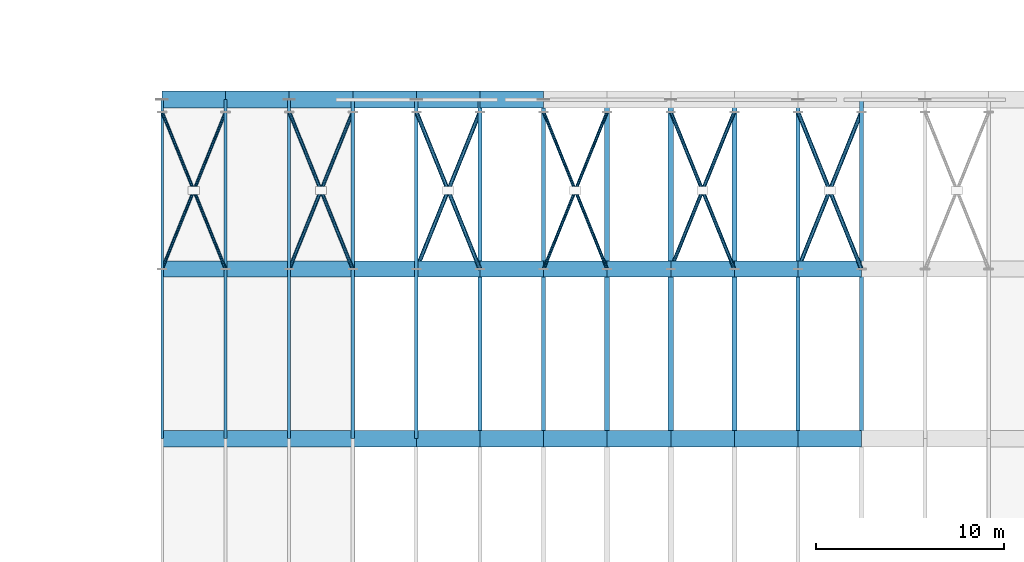
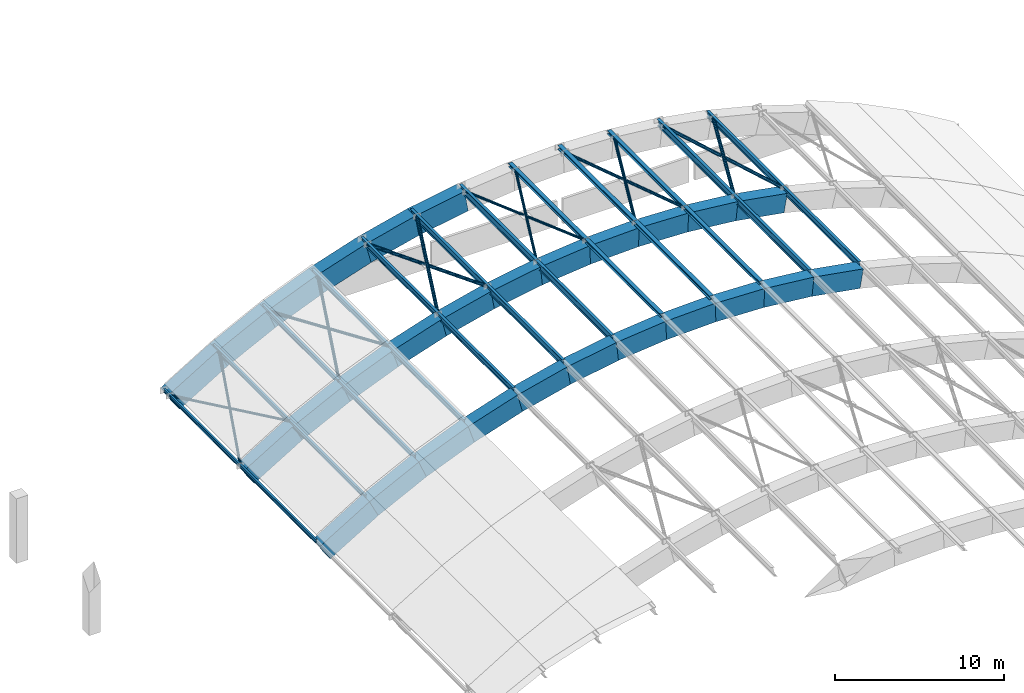
# One storey, part 8 of 30: 52 beams, 18 members.
"""IFC4 building model written with IfcOpenShell, lengths in metres."""

from ifc_helpers import new_model, si_unit, direction, frame, origin, origin_2d, place, context, subcontext, project, spatial, rectangle, hollow_circle, i_section, extrude, material, material_profile, profile_set, type_object, element, save


model = new_model("IFC4")

# Units and contexts
model_context = context("Model", 3, precision=1e-05, world=origin(), true_north=direction((0.0, 1.0)))
body_context = subcontext(model_context, "Body", "Model", "MODEL_VIEW")
ifc_project = project(units=[si_unit("LENGTHUNIT", "METRE"), si_unit("AREAUNIT", "SQUARE_METRE"), si_unit("VOLUMEUNIT", "CUBIC_METRE"), si_unit("PLANEANGLEUNIT", "RADIAN"), si_unit("MASSUNIT", "GRAM", prefix="KILO")], contexts=[model_context])

# Site, building, storey
site_placement = place(None, origin())
site = spatial("IfcSite", under=ifc_project, at=site_placement, CompositionType="ELEMENT")
building_placement = place(site_placement, origin())
building = spatial("IfcBuilding", under=site, at=building_placement, Name="Ornek Quay Market", CompositionType="ELEMENT")
storey_placement = place(building_placement, frame((0.0, 0.0, 12.0)))
storey = spatial("IfcBuildingStorey", under=building, at=storey_placement, Name="L03", CompositionType="ELEMENT", Elevation=12.0)

# Beams
ifc_material_1 = material(Name="Concrete C45/55", Category="concrete")
ifc_material_profile_1 = material_profile(ifc_material_1, rectangle(XDim=0.85009765625, YDim=1.35009765625, at=origin_2d()), Name="RC 850x1350", Category="concrete")
ifc_profile_set_1 = profile_set([ifc_material_profile_1], Name="Concrete C45/55")
beam_type_1 = type_object("IfcBeamType", Name="BM-ARCH-850x1350", PredefinedType="BEAM", material=ifc_profile_set_1)
beam_1_placement = place(storey_placement, frame((63.3486328125, 74.0, -3.577880859375), z_axis=(0.856326530364, 0.0, 0.516434771675), x_axis=(0.0, 1.0, 0.0)))
element("IfcBeam", 1, at=beam_1_placement, inside=storey, type_object=beam_type_1, Name="Arch rib chord J.1", PredefinedType="BEAM", context=body_context, shape_type="SweptSolid", body=[
    extrude(rectangle(XDim=0.85009765625, YDim=1.35009765625, at=origin_2d()), origin(), (0.0, 0.0, 1.0), 3.941162109375),
])
beam_2_placement = place(storey_placement, frame((66.677001953125, 74.0, -1.568115234375), z_axis=(0.894245991428, 0.0, 0.447575811248), x_axis=(0.0, 1.0, 0.0)))
element("IfcBeam", 2, at=beam_2_placement, inside=storey, type_object=beam_type_1, Name="Arch rib chord J.2", PredefinedType="BEAM", context=body_context, shape_type="SweptSolid", body=[
    extrude(rectangle(XDim=0.85009765625, YDim=1.35009765625, at=origin_2d()), origin(), (0.0, 0.0, 1.0), 3.774169921875),
])
beam_3_placement = place(storey_placement, frame((70.005615234375, 74.0, 0.10009765625), z_axis=(0.925506425872, 0.0, 0.378731904742), x_axis=(0.0, 1.0, 0.0)))
element("IfcBeam", 3, at=beam_3_placement, inside=storey, type_object=beam_type_1, Name="Arch rib chord J.3", PredefinedType="BEAM", context=body_context, shape_type="SweptSolid", body=[
    extrude(rectangle(XDim=0.85009765625, YDim=1.35009765625, at=origin_2d()), origin(), (0.0, 0.0, 1.0), 3.646728515625),
])
beam_4_placement = place(storey_placement, frame((73.333984375, 74.0, 1.464111328125), z_axis=(0.950807373928, 0.0, 0.309782726575), x_axis=(0.0, 1.0, 0.0)))
element("IfcBeam", 4, at=beam_4_placement, inside=storey, type_object=beam_type_1, Name="Arch rib chord J.4", PredefinedType="BEAM", context=body_context, shape_type="SweptSolid", body=[
    extrude(rectangle(XDim=0.85009765625, YDim=1.35009765625, at=origin_2d()), origin(), (0.0, 0.0, 1.0), 3.549560546875),
])
beam_5_placement = place(storey_placement, frame((76.66259765625, 74.0, 2.550537109375), z_axis=(0.970537665456, 0.0, 0.240949455139), x_axis=(0.0, 1.0, 0.0)))
element("IfcBeam", 5, at=beam_5_placement, inside=storey, type_object=beam_type_1, Name="Arch rib chord J.5", PredefinedType="BEAM", context=body_context, shape_type="SweptSolid", body=[
    extrude(rectangle(XDim=0.85009765625, YDim=1.35009765625, at=origin_2d()), origin(), (0.0, 0.0, 1.0), 3.4775390625),
])
beam_6_placement = place(storey_placement, frame((79.9912109375, 74.0, 3.378662109375), z_axis=(0.985069160971, 0.0, 0.172159077901), x_axis=(0.0, 1.0, 0.0)))
element("IfcBeam", 6, at=beam_6_placement, inside=storey, type_object=beam_type_1, Name="Arch rib chord J.6", PredefinedType="BEAM", context=body_context, shape_type="SweptSolid", body=[
    extrude(rectangle(XDim=0.85009765625, YDim=1.35009765625, at=origin_2d()), origin(), (0.0, 0.0, 1.0), 3.42626953125),
])
beam_7_placement = place(storey_placement, frame((83.319580078125, 74.0, 3.9619140625), z_axis=(0.994648025839, 0.0, 0.10332136611), x_axis=(0.0, 1.0, 0.0)))
element("IfcBeam", 7, at=beam_7_placement, inside=storey, type_object=beam_type_1, Name="Arch rib chord J.7", PredefinedType="BEAM", context=body_context, shape_type="SweptSolid", body=[
    extrude(rectangle(XDim=0.85009765625, YDim=1.35009765625, at=origin_2d()), origin(), (0.0, 0.0, 1.0), 3.39306640625),
])
for number, where, z_axis, x_axis, name in (
    (8, (86.648193359375, 74.0, 4.30908203125), (0.999407715337, 0.0, 0.034412476309), (0.0, 1.0, 0.0), "Arch rib chord J.8"),
    (9, (89.976806640625, 74.0, 4.42529296875), (0.999407715337, 0.0, -0.034412476309), (0.0, 1.0, 0.0), "Arch rib chord J.9"),
):
    element("IfcBeam", number, at=place(storey_placement, frame(where, z_axis=z_axis, x_axis=x_axis)), inside=storey, type_object=beam_type_1, Name=name, PredefinedType="BEAM", context=body_context, shape_type="SweptSolid", body=[
        extrude(rectangle(XDim=0.85009765625, YDim=1.35009765625, at=origin_2d()), origin(), (0.0, 0.0, 1.0), 3.376953125),
    ])
beam_8_placement = place(storey_placement, frame((93.305419921875, 74.0, 4.3125), z_axis=(0.994648025839, 0.0, -0.10332136611), x_axis=(0.0, 1.0, 0.0)))
element("IfcBeam", 10, at=beam_8_placement, inside=storey, type_object=beam_type_1, Name="Arch rib chord J.10", PredefinedType="BEAM", context=body_context, shape_type="SweptSolid", body=[
    extrude(rectangle(XDim=0.85009765625, YDim=1.35009765625, at=origin_2d()), origin(), (0.0, 0.0, 1.0), 3.39306640625),
])
beam_9_placement = place(storey_placement, frame((96.6337890625, 74.0, 3.968505859375), z_axis=(0.985069160971, 0.0, -0.172159077901), x_axis=(0.0, 1.0, 0.0)))
element("IfcBeam", 11, at=beam_9_placement, inside=storey, type_object=beam_type_1, Name="Arch rib chord J.11", PredefinedType="BEAM", context=body_context, shape_type="SweptSolid", body=[
    extrude(rectangle(XDim=0.85009765625, YDim=1.35009765625, at=origin_2d()), origin(), (0.0, 0.0, 1.0), 3.42626953125),
])
beam_10_placement = place(storey_placement, frame((63.3486328125, 83.0, -3.577880859375), z_axis=(0.856326530364, 0.0, 0.516434771675), x_axis=(0.0, 1.0, 0.0)))
element("IfcBeam", 12, at=beam_10_placement, inside=storey, type_object=beam_type_1, Name="Arch rib chord K.1", PredefinedType="BEAM", context=body_context, shape_type="SweptSolid", body=[
    extrude(rectangle(XDim=0.85009765625, YDim=1.35009765625, at=origin_2d()), origin(), (0.0, 0.0, 1.0), 3.941162109375),
])
beam_11_placement = place(storey_placement, frame((66.677001953125, 83.0, -1.568115234375), z_axis=(0.894245991428, 0.0, 0.447575811248), x_axis=(0.0, 1.0, 0.0)))
element("IfcBeam", 13, at=beam_11_placement, inside=storey, type_object=beam_type_1, Name="Arch rib chord K.2", PredefinedType="BEAM", context=body_context, shape_type="SweptSolid", body=[
    extrude(rectangle(XDim=0.85009765625, YDim=1.35009765625, at=origin_2d()), origin(), (0.0, 0.0, 1.0), 3.774169921875),
])
beam_12_placement = place(storey_placement, frame((70.005615234375, 83.0, 0.10009765625), z_axis=(0.925506425872, 0.0, 0.378731904742), x_axis=(0.0, 1.0, 0.0)))
element("IfcBeam", 14, at=beam_12_placement, inside=storey, type_object=beam_type_1, Name="Arch rib chord K.3", PredefinedType="BEAM", context=body_context, shape_type="SweptSolid", body=[
    extrude(rectangle(XDim=0.85009765625, YDim=1.35009765625, at=origin_2d()), origin(), (0.0, 0.0, 1.0), 3.646728515625),
])
beam_13_placement = place(storey_placement, frame((73.333984375, 83.0, 1.464111328125), z_axis=(0.950807373928, 0.0, 0.309782726575), x_axis=(0.0, 1.0, 0.0)))
element("IfcBeam", 15, at=beam_13_placement, inside=storey, type_object=beam_type_1, Name="Arch rib chord K.4", PredefinedType="BEAM", context=body_context, shape_type="SweptSolid", body=[
    extrude(rectangle(XDim=0.85009765625, YDim=1.35009765625, at=origin_2d()), origin(), (0.0, 0.0, 1.0), 3.549560546875),
])
beam_14_placement = place(storey_placement, frame((76.66259765625, 83.0, 2.550537109375), z_axis=(0.970537665456, 0.0, 0.240949455139), x_axis=(0.0, 1.0, 0.0)))
element("IfcBeam", 16, at=beam_14_placement, inside=storey, type_object=beam_type_1, Name="Arch rib chord K.5", PredefinedType="BEAM", context=body_context, shape_type="SweptSolid", body=[
    extrude(rectangle(XDim=0.85009765625, YDim=1.35009765625, at=origin_2d()), origin(), (0.0, 0.0, 1.0), 3.4775390625),
])
beam_15_placement = place(storey_placement, frame((79.9912109375, 83.0, 3.378662109375), z_axis=(0.985069160971, 0.0, 0.172159077901), x_axis=(0.0, 1.0, 0.0)))
element("IfcBeam", 17, at=beam_15_placement, inside=storey, type_object=beam_type_1, Name="Arch rib chord K.6", PredefinedType="BEAM", context=body_context, shape_type="SweptSolid", body=[
    extrude(rectangle(XDim=0.85009765625, YDim=1.35009765625, at=origin_2d()), origin(), (0.0, 0.0, 1.0), 3.42626953125),
])
beam_16_placement = place(storey_placement, frame((83.319580078125, 83.0, 3.9619140625), z_axis=(0.994648025839, 0.0, 0.10332136611), x_axis=(0.0, 1.0, 0.0)))
element("IfcBeam", 18, at=beam_16_placement, inside=storey, type_object=beam_type_1, Name="Arch rib chord K.7", PredefinedType="BEAM", context=body_context, shape_type="SweptSolid", body=[
    extrude(rectangle(XDim=0.85009765625, YDim=1.35009765625, at=origin_2d()), origin(), (0.0, 0.0, 1.0), 3.39306640625),
])
for number, where, z_axis, x_axis, name in (
    (19, (86.648193359375, 83.0, 4.30908203125), (0.999407715337, 0.0, 0.034412476309), (0.0, 1.0, 0.0), "Arch rib chord K.8"),
    (20, (89.976806640625, 83.0, 4.42529296875), (0.999407715337, 0.0, -0.034412476309), (0.0, 1.0, 0.0), "Arch rib chord K.9"),
):
    element("IfcBeam", number, at=place(storey_placement, frame(where, z_axis=z_axis, x_axis=x_axis)), inside=storey, type_object=beam_type_1, Name=name, PredefinedType="BEAM", context=body_context, shape_type="SweptSolid", body=[
        extrude(rectangle(XDim=0.85009765625, YDim=1.35009765625, at=origin_2d()), origin(), (0.0, 0.0, 1.0), 3.376953125),
    ])
beam_17_placement = place(storey_placement, frame((93.305419921875, 83.0, 4.3125), z_axis=(0.994648025839, 0.0, -0.10332136611), x_axis=(0.0, 1.0, 0.0)))
element("IfcBeam", 21, at=beam_17_placement, inside=storey, type_object=beam_type_1, Name="Arch rib chord K.10", PredefinedType="BEAM", context=body_context, shape_type="SweptSolid", body=[
    extrude(rectangle(XDim=0.85009765625, YDim=1.35009765625, at=origin_2d()), origin(), (0.0, 0.0, 1.0), 3.39306640625),
])
beam_18_placement = place(storey_placement, frame((96.6337890625, 83.0, 3.968505859375), z_axis=(0.985069160971, 0.0, -0.172159077901), x_axis=(0.0, 1.0, 0.0)))
element("IfcBeam", 22, at=beam_18_placement, inside=storey, type_object=beam_type_1, Name="Arch rib chord K.11", PredefinedType="BEAM", context=body_context, shape_type="SweptSolid", body=[
    extrude(rectangle(XDim=0.85009765625, YDim=1.35009765625, at=origin_2d()), origin(), (0.0, 0.0, 1.0), 3.42626953125),
])
ifc_material_profile_2 = material_profile(ifc_material_1, rectangle(XDim=0.89990234375, YDim=1.5, at=origin_2d()), Name="RC 900x1500", Category="concrete")
ifc_profile_set_2 = profile_set([ifc_material_profile_2], Name="Concrete C45/55")
beam_type_2 = type_object("IfcBeamType", Name="BM-ARCH-900x1500", PredefinedType="BEAM", material=ifc_profile_set_2)
beam_19_placement = place(storey_placement, frame((63.387451171875, 92.0, -3.64208984375), z_axis=(0.856326530364, 0.0, 0.516434771675), x_axis=(0.0, 1.0, 0.0)))
element("IfcBeam", 23, at=beam_19_placement, inside=storey, type_object=beam_type_2, Name="Arch rib chord L.1", PredefinedType="BEAM", context=body_context, shape_type="SweptSolid", body=[
    extrude(rectangle(XDim=0.89990234375, YDim=1.5, at=origin_2d()), origin(), (0.0, 0.0, 1.0), 3.941162109375),
])
beam_20_placement = place(storey_placement, frame((66.710693359375, 92.0, -1.635009765625), z_axis=(0.894245991428, 0.0, 0.447575811248), x_axis=(0.0, 1.0, 0.0)))
element("IfcBeam", 24, at=beam_20_placement, inside=storey, type_object=beam_type_2, Name="Arch rib chord L.2", PredefinedType="BEAM", context=body_context, shape_type="SweptSolid", body=[
    extrude(rectangle(XDim=0.89990234375, YDim=1.5, at=origin_2d()), origin(), (0.0, 0.0, 1.0), 3.774169921875),
])
beam_21_placement = place(storey_placement, frame((70.033935546875, 92.0, 0.03076171875), z_axis=(0.925529891662, 0.0, 0.378674556368), x_axis=(0.0, 1.0, 0.0)))
element("IfcBeam", 25, at=beam_21_placement, inside=storey, type_object=beam_type_2, Name="Arch rib chord L.3", PredefinedType="BEAM", context=body_context, shape_type="SweptSolid", body=[
    extrude(rectangle(XDim=0.89990234375, YDim=1.5, at=origin_2d()), origin(), (0.0, 0.0, 1.0), 3.646484375),
])
beam_22_placement = place(storey_placement, frame((73.357421875, 92.0, 1.392578125), z_axis=(0.950787113767, 0.0, 0.309844903611), x_axis=(0.0, 1.0, 0.0)))
element("IfcBeam", 26, at=beam_22_placement, inside=storey, type_object=beam_type_2, Name="Arch rib chord L.4", PredefinedType="BEAM", context=body_context, shape_type="SweptSolid", body=[
    extrude(rectangle(XDim=0.89990234375, YDim=1.5, at=origin_2d()), origin(), (0.0, 0.0, 1.0), 3.5498046875),
])
beam_23_placement = place(storey_placement, frame((76.6806640625, 92.0, 2.477783203125), z_axis=(0.970537665456, 0.0, 0.240949455139), x_axis=(0.0, 1.0, 0.0)))
element("IfcBeam", 27, at=beam_23_placement, inside=storey, type_object=beam_type_2, Name="Arch rib chord L.5", PredefinedType="BEAM", context=body_context, shape_type="SweptSolid", body=[
    extrude(rectangle(XDim=0.89990234375, YDim=1.5, at=origin_2d()), origin(), (0.0, 0.0, 1.0), 3.4775390625),
])
beam_24_placement = place(storey_placement, frame((80.004150390625, 92.0, 3.3046875), z_axis=(0.985069160971, 0.0, 0.172159077901), x_axis=(0.0, 1.0, 0.0)))
element("IfcBeam", 28, at=beam_24_placement, inside=storey, type_object=beam_type_2, Name="Arch rib chord L.6", PredefinedType="BEAM", context=body_context, shape_type="SweptSolid", body=[
    extrude(rectangle(XDim=0.89990234375, YDim=1.5, at=origin_2d()), origin(), (0.0, 0.0, 1.0), 3.42626953125),
])
ifc_material_2 = material(Name="Steel S355", Category="steel")
ifc_material_profile_3 = material_profile(ifc_material_2, i_section(OverallWidth=0.260009765625, OverallDepth=0.25, WebThickness=0.007568359375, FlangeThickness=0.012451171875, FilletRadius=0.02392578125, at=origin_2d()), Name="HEA 260", Category="steel")
ifc_profile_set_3 = profile_set([ifc_material_profile_3], Name="Steel S355")
beam_type_3 = type_object("IfcBeamType", Name="BM-STL-HEA260", PredefinedType="BEAM", material=ifc_profile_set_3)
for number, where, z_axis, x_axis, name in (
    (29, (86.625, 74.0, 5.149169921875), (0.0, 1.0, 0.0), (-1.0, 0.0, 0.0), "Vault steel purlin VP-093"),
    (30, (93.375, 74.0, 5.149169921875), (0.0, 1.0, 0.0), (-1.0, 0.0, 0.0), "Vault steel purlin VP-095"),
    (31, (86.625, 83.0, 5.149169921875), (0.0, 1.0, 0.0), (-1.0, 0.0, 0.0), "Vault steel purlin VP-110"),
    (32, (93.375, 83.0, 5.149169921875), (0.0, 1.0, 0.0), (-1.0, 0.0, 0.0), "Vault steel purlin VP-112"),
):
    element("IfcBeam", number, at=place(storey_placement, frame(where, z_axis=z_axis, x_axis=x_axis)), inside=storey, type_object=beam_type_3, Name=name, PredefinedType="BEAM", context=body_context, shape_type="SweptSolid", body=[
        extrude(i_section(OverallWidth=0.260009765625, OverallDepth=0.25, WebThickness=0.007568359375, FlangeThickness=0.012451171875, FilletRadius=0.02392578125, at=origin_2d()), origin(), (0.0, 0.0, 1.0), 9.0),
    ])
ifc_material_profile_4 = material_profile(ifc_material_2, i_section(OverallWidth=0.280029296875, OverallDepth=0.27001953125, WebThickness=0.008056640625, FlangeThickness=0.012939453125, FilletRadius=0.02392578125, at=origin_2d()), Name="HEA 280", Category="steel")
ifc_profile_set_4 = profile_set([ifc_material_profile_4], Name="Steel S355")
beam_type_4 = type_object("IfcBeamType", Name="BM-STL-HEA280", PredefinedType="BEAM", material=ifc_profile_set_4)
for number, where, z_axis, x_axis, name in (
    (33, (90.0, 74.0, 5.2568359375), (0.0, 1.0, 0.0), (-1.0, 0.0, 0.0), "Vault steel purlin VP-094"),
    (34, (90.0, 83.0, 5.2568359375), (0.0, 1.0, 0.0), (-1.0, 0.0, 0.0), "Vault steel purlin VP-111"),
):
    element("IfcBeam", number, at=place(storey_placement, frame(where, z_axis=z_axis, x_axis=x_axis)), inside=storey, type_object=beam_type_4, Name=name, PredefinedType="BEAM", context=body_context, shape_type="SweptSolid", body=[
        extrude(i_section(OverallWidth=0.280029296875, OverallDepth=0.27001953125, WebThickness=0.008056640625, FlangeThickness=0.012939453125, FilletRadius=0.02392578125, at=origin_2d()), origin(), (0.0, 0.0, 1.0), 9.0),
    ])
ifc_material_profile_5 = material_profile(ifc_material_2, i_section(OverallWidth=0.135009765625, OverallDepth=0.27001953125, WebThickness=0.006591796875, FlangeThickness=0.01025390625, FilletRadius=0.014892578125, at=origin_2d()), Name="IPE 270", Category="steel")
ifc_profile_set_5 = profile_set([ifc_material_profile_5], Name="Steel S355")
beam_type_5 = type_object("IfcBeamType", Name="BM-STL-IPE270", PredefinedType="JOIST", material=ifc_profile_set_5)
for number, where, z_axis, x_axis, name in (
    (35, (63.0, 74.0, -2.8916015625), (0.0, 1.0, 0.0), (-1.0, 0.0, 0.0), "Vault steel purlin VP-086"),
    (36, (63.0, 83.0, -2.8916015625), (0.0, 1.0, 0.0), (-1.0, 0.0, 0.0), "Vault steel purlin VP-103"),
):
    element("IfcBeam", number, at=place(storey_placement, frame(where, z_axis=z_axis, x_axis=x_axis)), inside=storey, type_object=beam_type_5, Name=name, PredefinedType="JOIST", context=body_context, shape_type="SweptSolid", body=[
        extrude(i_section(OverallWidth=0.135009765625, OverallDepth=0.27001953125, WebThickness=0.006591796875, FlangeThickness=0.01025390625, FilletRadius=0.014892578125, at=origin_2d()), origin(), (0.0, 0.0, 1.0), 9.0),
    ])
ifc_material_profile_6 = material_profile(ifc_material_2, i_section(OverallWidth=0.14990234375, OverallDepth=0.300048828125, WebThickness=0.007080078125, FlangeThickness=0.0107421875, FilletRadius=0.014892578125, at=origin_2d()), Name="IPE 300", Category="steel")
ifc_profile_set_6 = profile_set([ifc_material_profile_6], Name="Steel S355")
beam_type_6 = type_object("IfcBeamType", Name="BM-STL-IPE300", PredefinedType="JOIST", material=ifc_profile_set_6)
for number, where, z_axis, x_axis, name in (
    (37, (66.375, 74.0, -0.87109375), (0.0, 1.0, 0.0), (-1.0, 0.0, 0.0), "Vault steel purlin VP-087"),
    (38, (66.375, 83.0, -0.87109375), (0.0, 1.0, 0.0), (-1.0, 0.0, 0.0), "Vault steel purlin VP-104"),
):
    element("IfcBeam", number, at=place(storey_placement, frame(where, z_axis=z_axis, x_axis=x_axis)), inside=storey, type_object=beam_type_6, Name=name, PredefinedType="JOIST", context=body_context, shape_type="SweptSolid", body=[
        extrude(i_section(OverallWidth=0.14990234375, OverallDepth=0.300048828125, WebThickness=0.007080078125, FlangeThickness=0.0107421875, FilletRadius=0.014892578125, at=origin_2d()), origin(), (0.0, 0.0, 1.0), 9.0),
    ])
ifc_material_profile_7 = material_profile(ifc_material_2, i_section(OverallWidth=0.159912109375, OverallDepth=0.330078125, WebThickness=0.007568359375, FlangeThickness=0.011474609375, FilletRadius=0.01806640625, at=origin_2d()), Name="IPE 330", Category="steel")
ifc_profile_set_7 = profile_set([ifc_material_profile_7], Name="Steel S355")
beam_type_7 = type_object("IfcBeamType", Name="BM-STL-IPE330", PredefinedType="JOIST", material=ifc_profile_set_7)
for number, where, z_axis, x_axis, name in (
    (39, (69.75, 74.0, 0.8173828125), (0.0, 1.0, 0.0), (-1.0, 0.0, 0.0), "Vault steel purlin VP-088"),
    (40, (69.75, 83.0, 0.8173828125), (0.0, 1.0, 0.0), (-1.0, 0.0, 0.0), "Vault steel purlin VP-105"),
):
    element("IfcBeam", number, at=place(storey_placement, frame(where, z_axis=z_axis, x_axis=x_axis)), inside=storey, type_object=beam_type_7, Name=name, PredefinedType="JOIST", context=body_context, shape_type="SweptSolid", body=[
        extrude(i_section(OverallWidth=0.159912109375, OverallDepth=0.330078125, WebThickness=0.007568359375, FlangeThickness=0.011474609375, FilletRadius=0.01806640625, at=origin_2d()), origin(), (0.0, 0.0, 1.0), 9.0),
    ])
ifc_material_profile_8 = material_profile(ifc_material_2, i_section(OverallWidth=0.169921875, OverallDepth=0.360107421875, WebThickness=0.008056640625, FlangeThickness=0.0126953125, FilletRadius=0.01806640625, at=origin_2d()), Name="IPE 360", Category="steel")
ifc_profile_set_8 = profile_set([ifc_material_profile_8], Name="Steel S355")
beam_type_8 = type_object("IfcBeamType", Name="BM-STL-IPE360", PredefinedType="BEAM", material=ifc_profile_set_8)
for number, where, z_axis, x_axis, name in (
    (41, (73.125, 74.0, 2.194580078125), (0.0, 1.0, 0.0), (-1.0, 0.0, 0.0), "Vault steel purlin VP-089"),
    (42, (73.125, 83.0, 2.194580078125), (0.0, 1.0, 0.0), (-1.0, 0.0, 0.0), "Vault steel purlin VP-106"),
):
    element("IfcBeam", number, at=place(storey_placement, frame(where, z_axis=z_axis, x_axis=x_axis)), inside=storey, type_object=beam_type_8, Name=name, PredefinedType="BEAM", context=body_context, shape_type="SweptSolid", body=[
        extrude(i_section(OverallWidth=0.169921875, OverallDepth=0.360107421875, WebThickness=0.008056640625, FlangeThickness=0.0126953125, FilletRadius=0.01806640625, at=origin_2d()), origin(), (0.0, 0.0, 1.0), 9.0),
    ])
ifc_material_profile_9 = material_profile(ifc_material_2, i_section(OverallWidth=0.179931640625, OverallDepth=0.39990234375, WebThickness=0.008544921875, FlangeThickness=0.013427734375, FilletRadius=0.02099609375, at=origin_2d()), Name="IPE 400", Category="steel")
ifc_profile_set_9 = profile_set([ifc_material_profile_9], Name="Steel S355")
beam_type_9 = type_object("IfcBeamType", Name="BM-STL-IPE400", PredefinedType="BEAM", material=ifc_profile_set_9)
for number, where, z_axis, x_axis, name in (
    (43, (76.5, 74.0, 3.28271484375), (0.0, 1.0, 0.0), (-1.0, 0.0, 0.0), "Vault steel purlin VP-090"),
    (44, (76.5, 83.0, 3.28271484375), (0.0, 1.0, 0.0), (-1.0, 0.0, 0.0), "Vault steel purlin VP-107"),
):
    element("IfcBeam", number, at=place(storey_placement, frame(where, z_axis=z_axis, x_axis=x_axis)), inside=storey, type_object=beam_type_9, Name=name, PredefinedType="BEAM", context=body_context, shape_type="SweptSolid", body=[
        extrude(i_section(OverallWidth=0.179931640625, OverallDepth=0.39990234375, WebThickness=0.008544921875, FlangeThickness=0.013427734375, FilletRadius=0.02099609375, at=origin_2d()), origin(), (0.0, 0.0, 1.0), 9.0),
    ])
ifc_material_profile_10 = material_profile(ifc_material_2, i_section(OverallWidth=0.18994140625, OverallDepth=0.449951171875, WebThickness=0.009521484375, FlangeThickness=0.0146484375, FilletRadius=0.02099609375, at=origin_2d()), Name="IPE 450", Category="steel")
ifc_profile_set_10 = profile_set([ifc_material_profile_10], Name="Steel S355")
beam_type_10 = type_object("IfcBeamType", Name="BM-STL-IPE450", PredefinedType="BEAM", material=ifc_profile_set_10)
for number, where, z_axis, x_axis, name in (
    (45, (79.875, 74.0, 4.101806640625), (0.0, 1.0, 0.0), (-1.0, 0.0, 0.0), "Vault steel purlin VP-091"),
    (46, (100.125, 74.0, 4.101806640625), (0.0, 1.0, 0.0), (-1.0, 0.0, 0.0), "Vault steel purlin VP-097"),
    (47, (79.875, 83.0, 4.101806640625), (0.0, 1.0, 0.0), (-1.0, 0.0, 0.0), "Vault steel purlin VP-108"),
    (48, (100.125, 83.0, 4.101806640625), (0.0, 1.0, 0.0), (-1.0, 0.0, 0.0), "Vault steel purlin VP-114"),
):
    element("IfcBeam", number, at=place(storey_placement, frame(where, z_axis=z_axis, x_axis=x_axis)), inside=storey, type_object=beam_type_10, Name=name, PredefinedType="BEAM", context=body_context, shape_type="SweptSolid", body=[
        extrude(i_section(OverallWidth=0.18994140625, OverallDepth=0.449951171875, WebThickness=0.009521484375, FlangeThickness=0.0146484375, FilletRadius=0.02099609375, at=origin_2d()), origin(), (0.0, 0.0, 1.0), 9.0),
    ])
ifc_material_profile_11 = material_profile(ifc_material_2, i_section(OverallWidth=0.199951171875, OverallDepth=0.5, WebThickness=0.01025390625, FlangeThickness=0.01611328125, FilletRadius=0.02099609375, at=origin_2d()), Name="IPE 500", Category="steel")
ifc_profile_set_11 = profile_set([ifc_material_profile_11], Name="Steel S355")
beam_type_11 = type_object("IfcBeamType", Name="BM-STL-IPE500", PredefinedType="BEAM", material=ifc_profile_set_11)
for number, where, z_axis, x_axis, name in (
    (49, (83.25, 74.0, 4.6708984375), (0.0, 1.0, 0.0), (-1.0, 0.0, 0.0), "Vault steel purlin VP-092"),
    (50, (96.75, 74.0, 4.6708984375), (0.0, 1.0, 0.0), (-1.0, 0.0, 0.0), "Vault steel purlin VP-096"),
    (51, (83.25, 83.0, 4.6708984375), (0.0, 1.0, 0.0), (-1.0, 0.0, 0.0), "Vault steel purlin VP-109"),
    (52, (96.75, 83.0, 4.6708984375), (0.0, 1.0, 0.0), (-1.0, 0.0, 0.0), "Vault steel purlin VP-113"),
):
    element("IfcBeam", number, at=place(storey_placement, frame(where, z_axis=z_axis, x_axis=x_axis)), inside=storey, type_object=beam_type_11, Name=name, PredefinedType="BEAM", context=body_context, shape_type="SweptSolid", body=[
        extrude(i_section(OverallWidth=0.199951171875, OverallDepth=0.5, WebThickness=0.01025390625, FlangeThickness=0.01611328125, FilletRadius=0.02099609375, at=origin_2d()), origin(), (0.0, 0.0, 1.0), 9.0),
    ])

# Members
ifc_material_profile_12 = material_profile(ifc_material_2, hollow_circle(Radius=0.084228515625, WallThickness=0.008056640625, at=origin_2d()), Name="CHS 168.3x8", Category="steel")
ifc_profile_set_12 = profile_set([ifc_material_profile_12], Name="Steel S355")
member_type_1 = type_object("IfcMemberType", Name="MBR-BRC-CHS168", PredefinedType="BRACE", material=ifc_profile_set_12)
member_1_placement = place(storey_placement, frame((63.0, 83.0, -2.8798828125), z_axis=(0.365516678498, 0.904325914207, 0.22043638228), x_axis=(-0.927132108754, 0.374734643337, 0.0)))
element("IfcMember", 53, at=member_1_placement, inside=storey, type_object=member_type_1, Name="Vault wind brace VB-049", PredefinedType="BRACE", context=body_context, shape_type="SweptSolid", body=[
    extrude(hollow_circle(Radius=0.084228515625, WallThickness=0.008056640625, at=origin_2d()), origin(), (0.0, 0.0, 1.0), 9.2333984375),
])
member_2_placement = place(storey_placement, frame((66.375, 83.0, -0.844482421875), z_axis=(-0.365505907422, 0.904329895086, -0.220437910743), x_axis=(-0.927136518362, -0.374723733329, 0.0)))
element("IfcMember", 54, at=member_2_placement, inside=storey, type_object=member_type_1, Name="Vault split wind brace VB-050", PredefinedType="BRACE", context=body_context, shape_type="SweptSolid", body=[
    extrude(hollow_circle(Radius=0.084228515625, WallThickness=0.008056640625, at=origin_2d()), origin(), (0.0, 0.0, 1.0), 4.4765625),
])
member_3_placement = place(storey_placement, frame((64.63623046875, 87.301513671875, -1.89306640625), z_axis=(-0.365487881718, 0.904339830279, -0.220427039377), x_axis=(-0.927144368827, -0.374704309225, 0.0)))
element("IfcMember", 55, at=member_3_placement, inside=storey, type_object=member_type_1, Name="Vault split wind brace VB-051", PredefinedType="BRACE", context=body_context, shape_type="SweptSolid", body=[
    extrude(hollow_circle(Radius=0.084228515625, WallThickness=0.008056640625, at=origin_2d()), origin(), (0.0, 0.0, 1.0), 4.476806640625),
])
member_4_placement = place(storey_placement, frame((83.25, 83.0, 4.75341796875), z_axis=(0.374451448479, 0.926431455503, 0.038869923941), x_axis=(-0.927132108754, 0.374734643337, 0.0)))
element("IfcMember", 56, at=member_4_placement, inside=storey, type_object=member_type_1, Name="Vault wind brace VB-058", PredefinedType="BRACE", context=body_context, shape_type="SweptSolid", body=[
    extrude(hollow_circle(Radius=0.084228515625, WallThickness=0.008056640625, at=origin_2d()), origin(), (0.0, 0.0, 1.0), 9.01318359375),
])
for number, where, z_axis, x_axis, name in (
    (57, (86.625, 83.0, 5.103759765625), (-0.37443351688, 0.926439207809, -0.038857890732), (-0.927139432683, -0.374716522672, 0.0), "Vault split wind brace VB-059"),
    (58, (84.885009765625, 87.3046875, 4.923095703125), (-0.37443351688, 0.926439207809, -0.038857890732), (-0.927139432683, -0.374716522672, 0.0), "Vault split wind brace VB-060"),
):
    element("IfcMember", number, at=place(storey_placement, frame(where, z_axis=z_axis, x_axis=x_axis)), inside=storey, type_object=member_type_1, Name=name, PredefinedType="BRACE", context=body_context, shape_type="SweptSolid", body=[
        extrude(hollow_circle(Radius=0.084228515625, WallThickness=0.008056640625, at=origin_2d()), origin(), (0.0, 0.0, 1.0), 4.36669921875),
    ])
ifc_material_profile_13 = material_profile(ifc_material_2, hollow_circle(Radius=0.096923828125, WallThickness=0.010009765625, at=origin_2d()), Name="CHS 193.7x10", Category="steel")
ifc_profile_set_13 = profile_set([ifc_material_profile_13], Name="Steel S355")
member_type_2 = type_object("IfcMemberType", Name="MBR-BRC-CHS193", PredefinedType="BRACE", material=ifc_profile_set_13)
member_5_placement = place(storey_placement, frame((69.75, 83.0, 0.8447265625), z_axis=(0.370404838484, 0.916419725538, 0.151575533225), x_axis=(-0.927132108754, 0.374734643337, 0.0)))
element("IfcMember", 59, at=member_5_placement, inside=storey, type_object=member_type_2, Name="Vault wind brace VB-052", PredefinedType="BRACE", context=body_context, shape_type="SweptSolid", body=[
    extrude(hollow_circle(Radius=0.096923828125, WallThickness=0.010009765625, at=origin_2d()), origin(), (0.0, 0.0, 1.0), 9.111572265625),
])
member_6_placement = place(storey_placement, frame((73.125, 83.0, 2.225830078125), z_axis=(-0.370384313827, 0.916423347018, -0.151603789896), x_axis=(-0.927139837292, -0.37471552157, 0.0)))
element("IfcMember", 60, at=member_6_placement, inside=storey, type_object=member_type_2, Name="Vault split wind brace VB-053", PredefinedType="BRACE", context=body_context, shape_type="SweptSolid", body=[
    extrude(hollow_circle(Radius=0.096923828125, WallThickness=0.010009765625, at=origin_2d()), origin(), (0.0, 0.0, 1.0), 4.415771484375),
])
member_7_placement = place(storey_placement, frame((71.385498046875, 87.30322265625, 1.51416015625), z_axis=(-0.370365547839, 0.916432201967, -0.151596108699), x_axis=(-0.927147690757, -0.37469608955, 0.0)))
element("IfcMember", 61, at=member_7_placement, inside=storey, type_object=member_type_2, Name="Vault split wind brace VB-054", PredefinedType="BRACE", context=body_context, shape_type="SweptSolid", body=[
    extrude(hollow_circle(Radius=0.096923828125, WallThickness=0.010009765625, at=origin_2d()), origin(), (0.0, 0.0, 1.0), 4.416015625),
])
member_8_placement = place(storey_placement, frame((90.0, 83.0, 5.219970703125), z_axis=(0.374703452016, 0.927054938213, -0.012902115391), x_axis=(-0.927132108754, 0.374734643337, 0.0)))
element("IfcMember", 62, at=member_8_placement, inside=storey, type_object=member_type_2, Name="Vault wind brace VB-061", PredefinedType="BRACE", context=body_context, shape_type="SweptSolid", body=[
    extrude(hollow_circle(Radius=0.096923828125, WallThickness=0.010009765625, at=origin_2d()), origin(), (0.0, 0.0, 1.0), 9.007080078125),
])
member_9_placement = place(storey_placement, frame((93.375, 83.0, 5.103759765625), z_axis=(-0.374704661669, 0.927054134567, 0.0129247091), x_axis=(-0.927131575588, -0.374735962443, 0.0)))
element("IfcMember", 63, at=member_9_placement, inside=storey, type_object=member_type_2, Name="Vault split wind brace VB-062", PredefinedType="BRACE", context=body_context, shape_type="SweptSolid", body=[
    extrude(hollow_circle(Radius=0.096923828125, WallThickness=0.010009765625, at=origin_2d()), origin(), (0.0, 0.0, 1.0), 4.363525390625),
])
member_10_placement = place(storey_placement, frame((91.635009765625, 87.3046875, 5.163818359375), z_axis=(-0.37468549711, 0.927062667927, 0.012868099796), x_axis=(-0.927139432683, -0.374716522672, 0.0)))
element("IfcMember", 64, at=member_10_placement, inside=storey, type_object=member_type_2, Name="Vault split wind brace VB-063", PredefinedType="BRACE", context=body_context, shape_type="SweptSolid", body=[
    extrude(hollow_circle(Radius=0.096923828125, WallThickness=0.010009765625, at=origin_2d()), origin(), (0.0, 0.0, 1.0), 4.36376953125),
])
ifc_material_profile_14 = material_profile(ifc_material_2, hollow_circle(Radius=0.109619140625, WallThickness=0.010009765625, at=origin_2d()), Name="CHS 219.1x10", Category="steel")
ifc_profile_set_14 = profile_set([ifc_material_profile_14], Name="Steel S355")
member_type_3 = type_object("IfcMemberType", Name="MBR-STR-CHS219", PredefinedType="STRUT", material=ifc_profile_set_14)
member_11_placement = place(storey_placement, frame((76.5, 83.0, 3.32568359375), z_axis=(0.373123401969, 0.923145731636, 0.092633066808), x_axis=(-0.927132108754, 0.374734643337, 0.0)))
element("IfcMember", 65, at=member_11_placement, inside=storey, type_object=member_type_3, Name="Vault wind brace VB-055", PredefinedType="STRUT", context=body_context, shape_type="SweptSolid", body=[
    extrude(hollow_circle(Radius=0.109619140625, WallThickness=0.010009765625, at=origin_2d()), origin(), (0.0, 0.0, 1.0), 9.045166015625),
])
for number, where, z_axis, x_axis, name in (
    (66, (79.875, 83.0, 4.16357421875), (-0.373114365847, 0.923148890835, -0.092637980054), (-0.927135707226, -0.374725740224, 0.0), "Vault split wind brace VB-056"),
    (67, (78.13525390625, 87.30419921875, 3.731689453125), (-0.373114365847, 0.923148890835, -0.092637980054), (-0.927135707226, -0.374725740224, 0.0), "Vault split wind brace VB-057"),
):
    element("IfcMember", number, at=place(storey_placement, frame(where, z_axis=z_axis, x_axis=x_axis)), inside=storey, type_object=member_type_3, Name=name, PredefinedType="STRUT", context=body_context, shape_type="SweptSolid", body=[
        extrude(hollow_circle(Radius=0.109619140625, WallThickness=0.010009765625, at=origin_2d()), origin(), (0.0, 0.0, 1.0), 4.3828125),
    ])
member_12_placement = place(storey_placement, frame((96.75, 83.0, 4.75341796875), z_axis=(0.373933567538, 0.92515016471, -0.065351815623), x_axis=(-0.927132108754, 0.374734643337, 0.0)))
element("IfcMember", 68, at=member_12_placement, inside=storey, type_object=member_type_3, Name="Vault wind brace VB-064", PredefinedType="STRUT", context=body_context, shape_type="SweptSolid", body=[
    extrude(hollow_circle(Radius=0.109619140625, WallThickness=0.010009765625, at=origin_2d()), origin(), (0.0, 0.0, 1.0), 9.025634765625),
])
member_13_placement = place(storey_placement, frame((100.125, 83.0, 4.16357421875), z_axis=(-0.37391614223, 0.925159097618, 0.065325053966), x_axis=(-0.927139432683, -0.374716522672, 0.0)))
element("IfcMember", 69, at=member_13_placement, inside=storey, type_object=member_type_3, Name="Vault split wind brace VB-065", PredefinedType="STRUT", context=body_context, shape_type="SweptSolid", body=[
    extrude(hollow_circle(Radius=0.109619140625, WallThickness=0.010009765625, at=origin_2d()), origin(), (0.0, 0.0, 1.0), 4.37255859375),
])
member_14_placement = place(storey_placement, frame((98.385009765625, 87.304443359375, 4.467529296875), z_axis=(-0.37389546444, 0.925163766049, 0.065377271742), x_axis=(-0.927147288556, -0.374697084754, 0.0)))
element("IfcMember", 70, at=member_14_placement, inside=storey, type_object=member_type_3, Name="Vault split wind brace VB-066", PredefinedType="STRUT", context=body_context, shape_type="SweptSolid", body=[
    extrude(hollow_circle(Radius=0.109619140625, WallThickness=0.010009765625, at=origin_2d()), origin(), (0.0, 0.0, 1.0), 4.372802734375),
])

save(model, "model.ifc")
